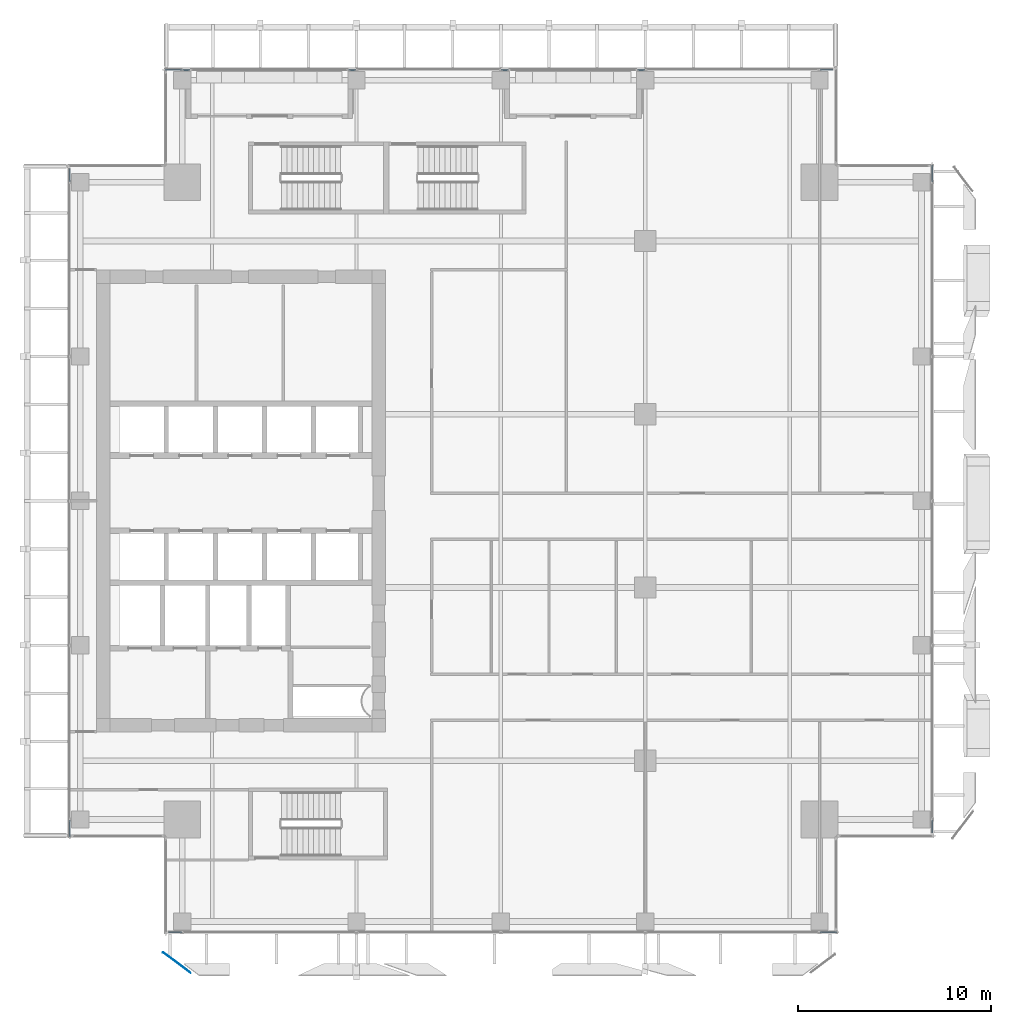
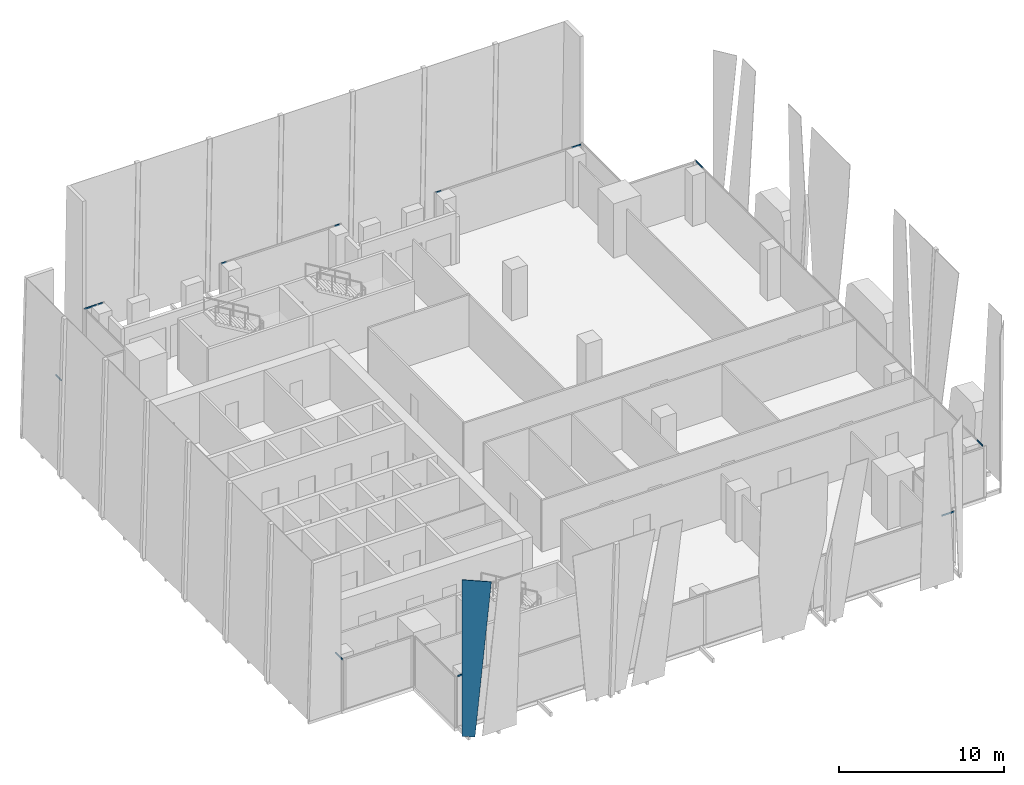
# One storey, part 20 of 33: 12 members, 1 plate, 6 elements without a shape of their own.
"""IFC4 building model written with IfcOpenShell, lengths in metres."""

from ifc_helpers import new_model, si_unit, direction, frame, origin, origin_2d, place, context, subcontext, project, spatial, polyline, hollow_rectangle, outline, extrude, source, transform, mapped, material, layer, layer_set, material_profile, profile_set, type_object, element, aggregate, save


model = new_model("IFC4")

# Units and contexts
model_context = context("Model", 3, precision=1e-05, world=origin(), true_north=direction((0.0, 1.0)))
body_context = subcontext(model_context, "Body", "Model", "MODEL_VIEW")
ifc_project = project(units=[si_unit("LENGTHUNIT", "METRE"), si_unit("AREAUNIT", "SQUARE_METRE"), si_unit("VOLUMEUNIT", "CUBIC_METRE"), si_unit("PLANEANGLEUNIT", "RADIAN"), si_unit("MASSUNIT", "GRAM", prefix="KILO")], contexts=[model_context])

# Site, building, storey
site_placement = place(None, origin())
site = spatial("IfcSite", under=ifc_project, at=site_placement, CompositionType="ELEMENT")
building_placement = place(site_placement, origin())
building = spatial("IfcBuilding", under=site, at=building_placement, Name="Khomas Fold Tower", CompositionType="ELEMENT")
storey_placement = place(building_placement, frame((0.0, 0.0, 234.199951171875)))
storey = spatial("IfcBuildingStorey", under=building, at=storey_placement, Name="L52", CompositionType="ELEMENT", Elevation=234.199951171875)

# Curtain wall, member
ifc_material_1 = material(Name="Aluminium framed double glazing", Category="aluminium")
curtain_wall_type = type_object("IfcCurtainWallType", Name="SK-Unitised clear-glass wall, office floors CW2", PredefinedType="NOTDEFINED", material=ifc_material_1)
curtain_wall_1_placement = place(storey_placement, origin())
curtain_wall_1 = element("IfcCurtainWall", 1, at=curtain_wall_1_placement, inside=storey, type_object=curtain_wall_type, Name="CW2 run L52 00-0", PredefinedType="NOTDEFINED")
ifc_material_2 = material(Name="Aluminium", Category="aluminium")
ifc_material_profile = material_profile(ifc_material_2, hollow_rectangle(XDim=0.050048828125, YDim=0.110107421875, WallThickness=0.00390625, at=origin_2d()), Name="SK-Unitised clear-glass wall, office floors transom CW2-T")
ifc_profile_set = profile_set([ifc_material_profile], Name="Aluminium")
member_type = type_object("IfcMemberType", Name="SK-Unitised clear-glass wall, office floors transom CW2-T", PredefinedType="USERDEFINED", material=ifc_profile_set)
shared_shape_1 = source(origin(), body_context, "Body", "SweptSolid", [
    extrude(hollow_rectangle(XDim=0.050048828125, YDim=0.110107421875, WallThickness=0.00390625, at=origin_2d()), origin(), (0.0, 0.0, 1.0), 0.659912109375),
])
member_1_placement = place(storey_placement, frame((9.760009765625, 4.60009765625, 3.695068359375), z_axis=(1.0, 0.0, 0.0), x_axis=(0.0, 1.0, 0.0)))
member_1 = element("IfcMember", 2, at=member_1_placement, type_object=member_type, Name="CW2 transom 1", ObjectType="TRANSOM", PredefinedType="USERDEFINED", context=body_context, shape_type="MappedRepresentation", body=[
    mapped(shared_shape_1, transform((0.0, 0.0, 0.0))),
])

curtain_wall_2_placement = place(storey_placement, origin())
curtain_wall_2 = element("IfcCurtainWall", 3, at=curtain_wall_2_placement, inside=storey, type_object=curtain_wall_type, Name="CW2 run L52 03-0", PredefinedType="NOTDEFINED")
member_2_placement = place(storey_placement, frame((49.39990234375, 9.760009765625, 3.695068359375), z_axis=(0.0, 1.0, 0.0), x_axis=(-1.0, 0.0, 0.0)))
member_2 = element("IfcMember", 4, at=member_2_placement, type_object=member_type, Name="CW2 transom 1", ObjectType="TRANSOM", PredefinedType="USERDEFINED", context=body_context, shape_type="MappedRepresentation", body=[
    mapped(shared_shape_1, transform((0.0, 0.0, 0.0))),
])

curtain_wall_3_placement = place(storey_placement, origin())
curtain_wall_3 = element("IfcCurtainWall", 5, at=curtain_wall_3_placement, inside=storey, type_object=curtain_wall_type, Name="CW2 run L52 06-0", PredefinedType="NOTDEFINED")
member_3_placement = place(storey_placement, frame((44.239990234375, 49.39990234375, 3.695068359375), z_axis=(-1.0, 0.0, 0.0), x_axis=(0.0, -1.0, 0.0)))
member_3 = element("IfcMember", 6, at=member_3_placement, type_object=member_type, Name="CW2 transom 1", ObjectType="TRANSOM", PredefinedType="USERDEFINED", context=body_context, shape_type="MappedRepresentation", body=[
    mapped(shared_shape_1, transform((0.0, 0.0, 0.0))),
])

curtain_wall_4_placement = place(storey_placement, origin())
curtain_wall_4 = element("IfcCurtainWall", 7, at=curtain_wall_4_placement, inside=storey, type_object=curtain_wall_type, Name="CW2 run L52 09-0", PredefinedType="NOTDEFINED")
member_4_placement = place(storey_placement, frame((4.60009765625, 44.239990234375, 3.695068359375), z_axis=(0.0, -1.0, 0.0), x_axis=(1.0, 0.0, 0.0)))
member_4 = element("IfcMember", 8, at=member_4_placement, type_object=member_type, Name="CW2 transom 1", ObjectType="TRANSOM", PredefinedType="USERDEFINED", context=body_context, shape_type="MappedRepresentation", body=[
    mapped(shared_shape_1, transform((0.0, 0.0, 0.0))),
])

# Member
shared_shape_2 = source(origin(), body_context, "Body", "SweptSolid", [
    extrude(hollow_rectangle(XDim=0.050048828125, YDim=0.110107421875, WallThickness=0.00390625, at=origin_2d()), origin(), (0.0, 0.0, 1.0), 0.85986328125),
])
member_5_placement = place(storey_placement, frame((43.580078125, 4.60009765625, 3.695068359375), z_axis=(1.0, 0.0, 0.0), x_axis=(0.0, 1.0, 0.0)))
member_5 = element("IfcMember", 9, at=member_5_placement, type_object=member_type, Name="CW2 transom 6", ObjectType="TRANSOM", PredefinedType="USERDEFINED", context=body_context, shape_type="MappedRepresentation", body=[
    mapped(shared_shape_2, transform((0.0, 0.0, 0.0))),
])

aggregate(curtain_wall_1, [member_1, member_5])

member_6_placement = place(storey_placement, frame((49.39990234375, 43.580078125, 3.695068359375), z_axis=(0.0, 1.0, 0.0), x_axis=(-1.0, 0.0, 0.0)))
member_6 = element("IfcMember", 10, at=member_6_placement, type_object=member_type, Name="CW2 transom 6", ObjectType="TRANSOM", PredefinedType="USERDEFINED", context=body_context, shape_type="MappedRepresentation", body=[
    mapped(shared_shape_2, transform((0.0, 0.0, 0.0))),
])

aggregate(curtain_wall_2, [member_2, member_6])

# Curtain wall, member
curtain_wall_5_placement = place(storey_placement, origin())
curtain_wall_5 = element("IfcCurtainWall", 11, at=curtain_wall_5_placement, inside=storey, type_object=curtain_wall_type, Name="CW2 run L52 06-2", PredefinedType="NOTDEFINED")
member_7_placement = place(storey_placement, frame((10.419921875, 49.39990234375, 3.695068359375), z_axis=(-1.0, 0.0, 0.0), x_axis=(0.0, -1.0, 0.0)))
member_7 = element("IfcMember", 12, at=member_7_placement, type_object=member_type, Name="CW2 transom 2", ObjectType="TRANSOM", PredefinedType="USERDEFINED", context=body_context, shape_type="MappedRepresentation", body=[
    mapped(shared_shape_2, transform((0.0, 0.0, 0.0))),
])

# Member
member_8_placement = place(storey_placement, frame((4.60009765625, 10.419921875, 3.695068359375), z_axis=(0.0, -1.0, 0.0), x_axis=(1.0, 0.0, 0.0)))
member_8 = element("IfcMember", 13, at=member_8_placement, type_object=member_type, Name="CW2 transom 6", ObjectType="TRANSOM", PredefinedType="USERDEFINED", context=body_context, shape_type="MappedRepresentation", body=[
    mapped(shared_shape_2, transform((0.0, 0.0, 0.0))),
])

aggregate(curtain_wall_4, [member_4, member_8])

shared_shape_3 = source(origin(), body_context, "Body", "SweptSolid", [
    extrude(hollow_rectangle(XDim=0.050048828125, YDim=0.110107421875, WallThickness=0.00390625, at=origin_2d()), origin(), (0.0, 0.0, 1.0), 0.35986328125),
])
member_9_placement = place(storey_placement, frame((34.469970703125, 49.39990234375, 3.695068359375), z_axis=(-1.0, 0.0, 0.0), x_axis=(0.0, -1.0, 0.0)))
member_9 = element("IfcMember", 14, at=member_9_placement, type_object=member_type, Name="CW2 transom 3", ObjectType="TRANSOM", PredefinedType="USERDEFINED", context=body_context, shape_type="MappedRepresentation", body=[
    mapped(shared_shape_3, transform((0.0, 0.0, 0.0))),
])

aggregate(curtain_wall_3, [member_3, member_9])

# Curtain wall, members
curtain_wall_6_placement = place(storey_placement, origin())
curtain_wall_6 = element("IfcCurtainWall", 15, at=curtain_wall_6_placement, inside=storey, type_object=curtain_wall_type, Name="CW2 run L52 06-1", PredefinedType="NOTDEFINED")
member_10_placement = place(storey_placement, frame((27.389892578125, 49.39990234375, 3.695068359375), z_axis=(-1.0, 0.0, 0.0), x_axis=(0.0, -1.0, 0.0)))
member_10 = element("IfcMember", 16, at=member_10_placement, type_object=member_type, Name="CW2 transom 1", ObjectType="TRANSOM", PredefinedType="USERDEFINED", context=body_context, shape_type="MappedRepresentation", body=[
    mapped(shared_shape_3, transform((0.0, 0.0, 0.0))),
])
member_11_placement = place(storey_placement, frame((19.469970703125, 49.39990234375, 3.695068359375), z_axis=(-1.0, 0.0, 0.0), x_axis=(0.0, -1.0, 0.0)))
member_11 = element("IfcMember", 17, at=member_11_placement, type_object=member_type, Name="CW2 transom 3", ObjectType="TRANSOM", PredefinedType="USERDEFINED", context=body_context, shape_type="MappedRepresentation", body=[
    mapped(shared_shape_3, transform((0.0, 0.0, 0.0))),
])
aggregate(curtain_wall_6, [member_10, member_11])

# Member
shared_shape_4 = source(origin(), body_context, "Body", "SweptSolid", [
    extrude(hollow_rectangle(XDim=0.050048828125, YDim=0.110107421875, WallThickness=0.00390625, at=origin_2d()), origin(), (0.0, 0.0, 1.0), 0.360107421875),
])
member_12_placement = place(storey_placement, frame((10.840087890625, 49.39990234375, 3.695068359375), z_axis=(-1.0, 0.0, 0.0), x_axis=(0.0, -1.0, 0.0)))
member_12 = element("IfcMember", 18, at=member_12_placement, type_object=member_type, Name="CW2 transom 1", ObjectType="TRANSOM", PredefinedType="USERDEFINED", context=body_context, shape_type="MappedRepresentation", body=[
    mapped(shared_shape_4, transform((0.0, 0.0, 0.0))),
])

aggregate(curtain_wall_5, [member_12, member_7])

# Plate
ifc_material_3 = material(Name="Clear laminated glass", Category="glass")
ifc_layer = layer(ifc_material_3, 0.0400390625)
ifc_layer_set = layer_set([ifc_layer], Name="Clear laminated glass")
plate_type = type_object("IfcPlateType", Name="SK-Clear laminated glass leaf", PredefinedType="SHEET", material=ifc_layer_set)
plate_placement = place(storey_placement, frame((10.106201171875, 3.091064453125, 0.0), z_axis=(0.603546581313, 0.797327739465, 8.008414e-06), x_axis=(-0.797327739491, 0.603546581333, 9.37e-10)))
element("IfcPlate", 19, at=plate_placement, inside=storey, type_object=plate_type, Name="OUTER SKIN glass L52 SG098-2", PredefinedType="SHEET", context=body_context, shape_type="SweptSolid", body=[
    extrude(outline(polyline([(0.0, 0.0), (0.7905347273656019, 8.470329472543003e-22), (0.7905347381884028, 11.550048827754619), (-1.0029403867694047, 11.550048830175927), (0.0, 0.0)])), origin(), (0.0, 0.0, -1.0), 0.0400390625),
])

save(model, "model.ifc")
